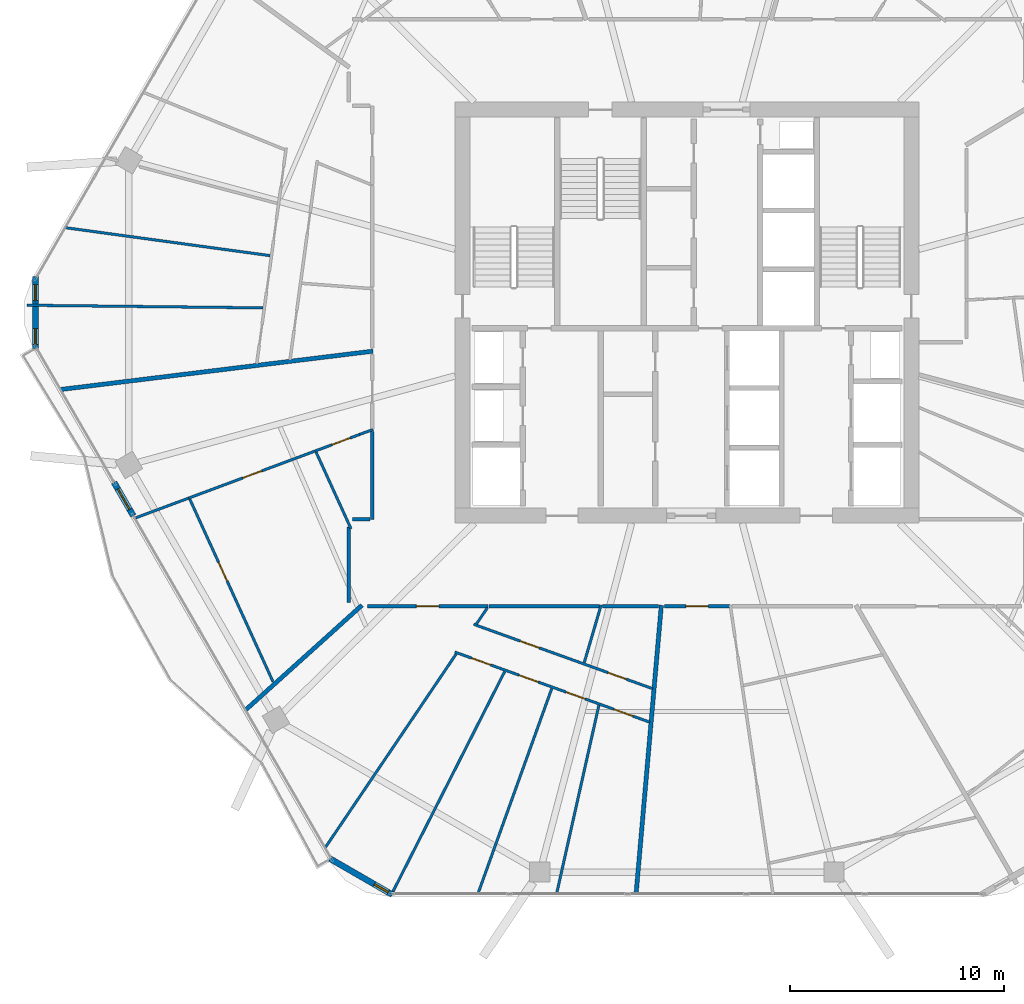
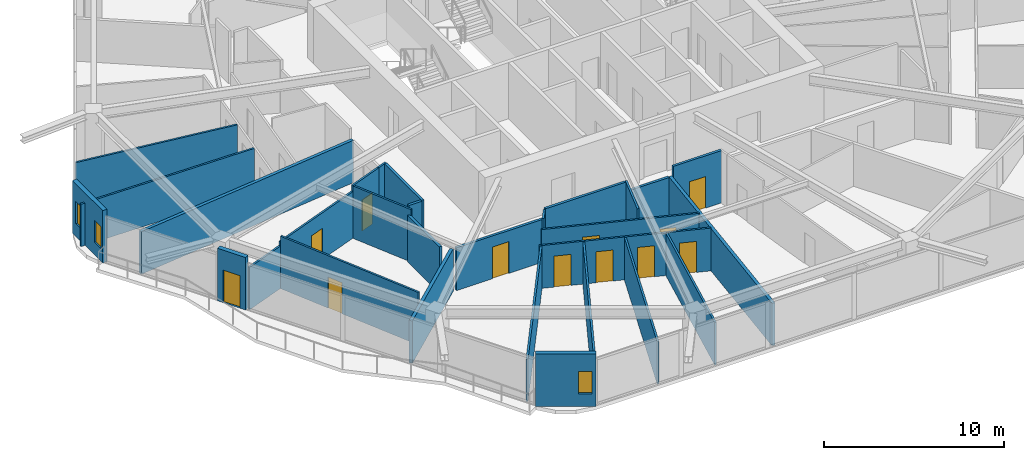
# One storey, part 18 of 26: 29 walls, 12 doors, 3 windows, 15 openings.
"""IFC4 building model written with IfcOpenShell, lengths in metres."""

from ifc_helpers import new_model, si_unit, direction, frame, frame_2d, origin, place, context, subcontext, project, spatial, rectangle, extrude, material, layer, layer_set, type_object, element, fill, save


model = new_model("IFC4")

# Units and contexts
model_context = context("Model", 3, precision=1e-05, world=origin(), true_north=direction((0.0, 1.0)))
body_context = subcontext(model_context, "Body", "Model", "MODEL_VIEW")
ifc_project = project(units=[si_unit("LENGTHUNIT", "METRE"), si_unit("AREAUNIT", "SQUARE_METRE"), si_unit("VOLUMEUNIT", "CUBIC_METRE"), si_unit("PLANEANGLEUNIT", "RADIAN"), si_unit("MASSUNIT", "GRAM", prefix="KILO")], contexts=[model_context])

# Site, building, storey
site_placement = place(None, origin())
site = spatial("IfcSite", under=ifc_project, at=site_placement, CompositionType="ELEMENT")
building_placement = place(site_placement, origin())
building = spatial("IfcBuilding", under=site, at=building_placement, Name="Zuhravey Tower", CompositionType="ELEMENT")
storey_placement = place(building_placement, frame((0.0, 0.0, 203.60009765625)))
storey = spatial("IfcBuildingStorey", under=building, at=storey_placement, Name="L51", CompositionType="ELEMENT", Elevation=203.60009765625)

# Wall, opening, door
ifc_material_1 = material(Name="Gypsum fire-rated stud partition")
ifc_layer_1 = layer(ifc_material_1, 0.159912109375)
ifc_layer_set_1 = layer_set([ifc_layer_1], Name="Gypsum fire-rated stud partition")
wall_type_1 = type_object("IfcWallType", Name="Corridor Fire Partition 160", PredefinedType="PARTITIONING", material=ifc_layer_set_1)
wall_1_placement = place(storey_placement, frame((21.0458984375, 18.27001953125, 0.0), z_axis=(0.0, 0.0, 1.0), x_axis=(1.0, 0.0, 0.0)))
wall_1 = element("IfcWall", 1, at=wall_1_placement, inside=storey, type_object=wall_type_1, Name="L51 IW16 Partition 042", PredefinedType="PARTITIONING", context=body_context, shape_type="SweptSolid", body=[
    extrude(rectangle(XDim=5.64794921875, YDim=0.159912109375, at=frame_2d((2.823974609375, 0.0))), origin(), (0.0, 0.0, 1.0), 2.89990234375),
])
opening_1_placement = place(wall_1_placement, frame((2.299072265625, 0.0, 0.0)))
opening_1 = element("IfcOpeningElement", 2, at=opening_1_placement, cuts=wall_1, Name="Opening APD1", PredefinedType="OPENING", context=body_context, shape_type="SweptSolid", body=[
    extrude(rectangle(XDim=1.050048828125, YDim=2.14990234375, at=frame_2d((0.52490234375, 1.074951171875))), frame((0.0, 0.092041015625, 0.0), z_axis=(0.0, -1.0, 0.0), x_axis=(1.0, 0.0, 0.0)), (0.0, 0.0, 1.0), 0.183837890625),
])
ifc_material_2 = material(Name="Solid-core oak fire-rated leaf")
door_type_1 = type_object("IfcDoorType", Name="Apartment Entrance Fire Door 1050x2150", OperationType="NOTDEFINED", PredefinedType="DOOR", material=ifc_material_2)
door_1_placement = place(opening_1_placement, frame((1.050048828125, 0.0, 0.0), z_axis=(0.0, 0.0, 1.0), x_axis=(-1.0, 0.0, 0.0)))
door_1 = element("IfcDoor", 3, at=door_1_placement, inside=storey, type_object=door_type_1, Name="L51 Door 042.1", OperationType="SINGLE_SWING_LEFT", OverallHeight=2.14990234375, OverallWidth=1.050048828125, PredefinedType="DOOR", context=body_context, shape_type="SweptSolid", body=[
    extrude(rectangle(XDim=1.050048828125, YDim=2.14990234375, at=frame_2d((0.52490234375, 1.074951171875))), frame((0.0, 0.02490234375, 0.0), z_axis=(0.0, -1.0, 0.0), x_axis=(1.0, 0.0, 0.0)), (0.0, 0.0, 1.0), 0.050048828125),
])
fill(opening_1, door_1)

wall_2_placement = place(storey_placement, frame((34.939453125, 18.27001953125, 0.0), z_axis=(0.0, 0.0, 1.0), x_axis=(1.0, 0.0, 0.0)))
wall_2 = element("IfcWall", 4, at=wall_2_placement, inside=storey, type_object=wall_type_1, Name="L51 IW16 Partition 046", PredefinedType="PARTITIONING", context=body_context, shape_type="SweptSolid", body=[
    extrude(rectangle(XDim=3.07275390625, YDim=0.159912109375, at=frame_2d((1.536376953125, 0.0))), origin(), (0.0, 0.0, 1.0), 3.5498046875),
])
opening_2_placement = place(wall_2_placement, frame((1.01123046875, 0.0, 0.0)))
opening_2 = element("IfcOpeningElement", 5, at=opening_2_placement, cuts=wall_2, Name="Opening APD1", PredefinedType="OPENING", context=body_context, shape_type="SweptSolid", body=[
    extrude(rectangle(XDim=1.050048828125, YDim=2.14990234375, at=frame_2d((0.52490234375, 1.074951171875))), frame((0.0, 0.092041015625, 0.0), z_axis=(0.0, -1.0, 0.0), x_axis=(1.0, 0.0, 0.0)), (0.0, 0.0, 1.0), 0.183837890625),
])
door_2_placement = place(opening_2_placement, frame((1.050048828125, 0.0, 0.0), z_axis=(0.0, 0.0, 1.0), x_axis=(-1.0, 0.0, 0.0)))
door_2 = element("IfcDoor", 6, at=door_2_placement, inside=storey, type_object=door_type_1, Name="L51 Door 046.1", OperationType="SINGLE_SWING_LEFT", OverallHeight=2.14990234375, OverallWidth=1.050048828125, PredefinedType="DOOR", context=body_context, shape_type="SweptSolid", body=[
    extrude(rectangle(XDim=1.050048828125, YDim=2.14990234375, at=frame_2d((0.52490234375, 1.074951171875))), frame((0.0, 0.02490234375, 0.0), z_axis=(0.0, -1.0, 0.0), x_axis=(1.0, 0.0, 0.0)), (0.0, 0.0, 1.0), 0.050048828125),
])
fill(opening_2, door_2)

# Walls
wall_3_placement = place(storey_placement, frame((21.27001953125, 26.443603515625, 0.0), z_axis=(0.0, 0.0, 1.0), x_axis=(0.0, -1.0, 0.0)))
element("IfcWall", 7, at=wall_3_placement, inside=storey, type_object=wall_type_1, Name="L51 IW16 Partition 129", PredefinedType="PARTITIONING", context=body_context, shape_type="SweptSolid", body=[
    extrude(rectangle(XDim=4.113525390625, YDim=0.159912109375, at=frame_2d((2.056640625, 0.0))), origin(), (0.0, 0.0, 1.0), 3.5498046875),
])
wall_4_placement = place(storey_placement, frame((21.181884765625, 22.330078125, 0.0), z_axis=(0.0, 0.0, 1.0), x_axis=(-1.0, 0.0, 0.0)))
element("IfcWall", 8, at=wall_4_placement, inside=storey, type_object=wall_type_1, Name="L51 IW16 Partition 130", PredefinedType="PARTITIONING", context=body_context, shape_type="SweptSolid", body=[
    extrude(rectangle(XDim=0.831787109375, YDim=0.159912109375, at=frame_2d((0.416015625, 0.0))), origin(), (0.0, 0.0, 1.0), 3.5498046875),
])
wall_5_placement = place(storey_placement, frame((20.169921875, 21.975830078125, 0.0), z_axis=(0.0, 0.0, 1.0), x_axis=(0.0, -1.0, 0.0)))
element("IfcWall", 9, at=wall_5_placement, inside=storey, type_object=wall_type_1, Name="L51 IW16 Partition 131", PredefinedType="PARTITIONING", context=body_context, shape_type="SweptSolid", body=[
    extrude(rectangle(XDim=3.52587890625, YDim=0.159912109375, at=frame_2d((1.762939453125, 0.0))), origin(), (0.0, 0.0, 1.0), 3.14990234375),
])
wall_6_placement = place(storey_placement, frame((26.7421875, 18.27001953125, 0.0), z_axis=(0.0, 0.0, 1.0), x_axis=(1.0, 0.0, 0.0)))
element("IfcWall", 10, at=wall_6_placement, inside=storey, type_object=wall_type_1, Name="L51 IW16 Partition 132", PredefinedType="PARTITIONING", context=body_context, shape_type="SweptSolid", body=[
    extrude(rectangle(XDim=5.158203125, YDim=0.159912109375, at=frame_2d((2.5791015625, 0.0))), origin(), (0.0, 0.0, 1.0), 3.5498046875),
])
wall_7_placement = place(storey_placement, frame((32.042236328125, 18.27001953125, 0.0), z_axis=(0.0, 0.0, 1.0), x_axis=(1.0, 0.0, 0.0)))
element("IfcWall", 11, at=wall_7_placement, inside=storey, type_object=wall_type_1, Name="L51 IW16 Partition 133", PredefinedType="PARTITIONING", context=body_context, shape_type="SweptSolid", body=[
    extrude(rectangle(XDim=2.61572265625, YDim=0.159912109375, at=frame_2d((1.307861328125, 0.0))), origin(), (0.0, 0.0, 1.0), 2.89990234375),
])

# Wall, opening, window
ifc_material_3 = material(Name="Precast concrete C40/50", Category="concrete")
ifc_layer_2 = layer(ifc_material_3, 0.280029296875)
ifc_layer_set_2 = layer_set([ifc_layer_2], Name="Precast concrete C40/50")
wall_type_2 = type_object("IfcWallType", Name="Crown Architectural Wall 280", PredefinedType="SOLIDWALL", material=ifc_layer_set_2)
wall_8_placement = place(storey_placement, frame((22.22119140625, 4.769287109375, 0.0), z_axis=(0.0, 0.0, 1.0), x_axis=(-0.866020068361, 0.500009241111, 0.0)))
wall_8 = element("IfcWall", 12, at=wall_8_placement, inside=storey, type_object=wall_type_2, Name="L51 Rounded Corner Closure Wall EW28-04", PredefinedType="SOLIDWALL", context=body_context, shape_type="SweptSolid", body=[
    extrude(rectangle(XDim=3.365234375, YDim=0.280029296875, at=frame_2d((1.6826171875, 0.0))), origin(), (0.0, 0.0, 1.0), 3.5498046875),
])
opening_3_placement = place(wall_8_placement, frame((0.22802734375, 0.0, 0.85009765625)))
opening_3 = element("IfcOpeningElement", 13, at=opening_3_placement, cuts=wall_8, Name="Opening WN5", PredefinedType="OPENING", context=body_context, shape_type="SweptSolid", body=[
    extrude(rectangle(XDim=0.75, YDim=1.5, at=frame_2d((0.375, 0.75))), frame((0.0, 0.152099609375, 0.0), z_axis=(0.0, -1.0, 0.0), x_axis=(1.0, 0.0, 0.0)), (0.0, 0.0, 1.0), 0.303955078125),
])
ifc_material_4 = material(Name="Thermally broken aluminium and triple low-E glass", Category="aluminium")
window_type = type_object("IfcWindowType", Name="Residential Corner Casement Window 750x1500", PartitioningType="SINGLE_PANEL", PredefinedType="WINDOW", material=ifc_material_4)
window_1_placement = place(opening_3_placement, origin())
window_1 = element("IfcWindow", 14, at=window_1_placement, inside=storey, type_object=window_type, Name="L51 Corner Casement Window WN5-04.1", OverallHeight=1.5, OverallWidth=0.75, PartitioningType="SINGLE_PANEL", PredefinedType="WINDOW", context=body_context, shape_type="SweptSolid", body=[
    extrude(rectangle(XDim=0.75, YDim=1.5, at=frame_2d((0.375, 0.75))), frame((0.0, 0.030029296875, 0.0), z_axis=(0.0, -1.0, 0.0), x_axis=(1.0, 0.0, 0.0)), (0.0, 0.0, 1.0), 0.06005859375),
])
fill(opening_3, window_1)

# Wall, opening, door
wall_9_placement = place(storey_placement, frame((10.098388671875, 22.49658203125, 0.0), z_axis=(0.0, 0.0, 1.0), x_axis=(-0.49993893605, 0.866060656202, 0.0)))
wall_9 = element("IfcWall", 15, at=wall_9_placement, inside=storey, type_object=wall_type_2, Name="L51 Face 4 Facade Pier EW28-1", PredefinedType="SOLIDWALL", context=body_context, shape_type="SweptSolid", body=[
    extrude(rectangle(XDim=1.789794921875, YDim=0.280029296875, at=frame_2d((0.89501953125, 0.0))), origin(), (0.0, 0.0, 1.0), 3.5498046875),
])
opening_4_placement = place(wall_9_placement, frame((0.344970703125, 0.0, 0.0)))
opening_4 = element("IfcOpeningElement", 16, at=opening_4_placement, cuts=wall_9, Name="Opening BLD1", PredefinedType="OPENING", context=body_context, shape_type="SweptSolid", body=[
    extrude(rectangle(XDim=1.10009765625, YDim=2.199951171875, at=frame_2d((0.550048828125, 1.10009765625))), frame((0.0, 0.152099609375, 0.0), z_axis=(0.0, -1.0, 0.0), x_axis=(1.0, 0.0, 0.0)), (0.0, 0.0, 1.0), 0.303955078125),
])
ifc_material_5 = material(Name="Thermally broken aluminium and low-E glass", Category="aluminium")
door_type_2 = type_object("IfcDoorType", Name="Balcony & Sky-Tray Glazed Door 1100x2200", OperationType="NOTDEFINED", PredefinedType="DOOR", material=ifc_material_5)
door_3_placement = place(opening_4_placement, frame((1.10009765625, 0.0, 0.0), z_axis=(0.0, 0.0, 1.0), x_axis=(-1.0, 0.0, 0.0)))
door_3 = element("IfcDoor", 17, at=door_3_placement, inside=storey, type_object=door_type_2, Name="L51 Face 4 Wave Balcony Door", OperationType="SINGLE_SWING_LEFT", OverallHeight=2.199951171875, OverallWidth=1.10009765625, PredefinedType="DOOR", context=body_context, shape_type="SweptSolid", body=[
    extrude(rectangle(XDim=1.10009765625, YDim=2.199951171875, at=frame_2d((0.550048828125, 1.10009765625))), frame((0.0, 0.02490234375, 0.0), z_axis=(0.0, -1.0, 0.0), x_axis=(1.0, 0.0, 0.0)), (0.0, 0.0, 1.0), 0.050048828125),
])
fill(opening_4, door_3)

# Wall, openings, windows
wall_10_placement = place(storey_placement, frame((5.5283203125, 30.3173828125, 0.0), z_axis=(0.0, 0.0, 1.0), x_axis=(0.0, 1.0, 0.0)))
wall_10 = element("IfcWall", 18, at=wall_10_placement, inside=storey, type_object=wall_type_2, Name="L51 Rounded Corner Closure Wall EW28-06", PredefinedType="SOLIDWALL", context=body_context, shape_type="SweptSolid", body=[
    extrude(rectangle(XDim=3.365234375, YDim=0.280029296875, at=frame_2d((1.6826171875, 0.0))), origin(), (0.0, 0.0, 1.0), 3.5498046875),
])
opening_5_placement = place(wall_10_placement, frame((2.23974609375, 0.0, 0.85009765625)))
opening_5 = element("IfcOpeningElement", 19, at=opening_5_placement, cuts=wall_10, Name="Opening WN5", PredefinedType="OPENING", context=body_context, shape_type="SweptSolid", body=[
    extrude(rectangle(XDim=0.75, YDim=1.5, at=frame_2d((0.375, 0.75))), frame((0.0, 0.152099609375, 0.0), z_axis=(0.0, -1.0, 0.0), x_axis=(1.0, 0.0, 0.0)), (0.0, 0.0, 1.0), 0.303955078125),
])
opening_6_placement = place(wall_10_placement, frame((0.17919921875, 0.0, 0.85009765625)))
opening_6 = element("IfcOpeningElement", 20, at=opening_6_placement, cuts=wall_10, Name="Opening WN5", PredefinedType="OPENING", context=body_context, shape_type="SweptSolid", body=[
    extrude(rectangle(XDim=0.75, YDim=1.5, at=frame_2d((0.375, 0.75))), frame((0.0, 0.152099609375, 0.0), z_axis=(0.0, -1.0, 0.0), x_axis=(1.0, 0.0, 0.0)), (0.0, 0.0, 1.0), 0.303955078125),
])
window_2_placement = place(opening_5_placement, origin())
window_2 = element("IfcWindow", 21, at=window_2_placement, inside=storey, type_object=window_type, Name="L51 Corner Casement Window WN5-06.1", OverallHeight=1.5, OverallWidth=0.75, PartitioningType="SINGLE_PANEL", PredefinedType="WINDOW", context=body_context, shape_type="SweptSolid", body=[
    extrude(rectangle(XDim=0.75, YDim=1.5, at=frame_2d((0.375, 0.75))), frame((0.0, 0.030029296875, 0.0), z_axis=(0.0, -1.0, 0.0), x_axis=(1.0, 0.0, 0.0)), (0.0, 0.0, 1.0), 0.06005859375),
])
fill(opening_5, window_2)
window_3_placement = place(opening_6_placement, origin())
window_3 = element("IfcWindow", 22, at=window_3_placement, inside=storey, type_object=window_type, Name="L51 Corner Casement Window WN5-06.2", OverallHeight=1.5, OverallWidth=0.75, PartitioningType="SINGLE_PANEL", PredefinedType="WINDOW", context=body_context, shape_type="SweptSolid", body=[
    extrude(rectangle(XDim=0.75, YDim=1.5, at=frame_2d((0.375, 0.75))), frame((0.0, 0.030029296875, 0.0), z_axis=(0.0, -1.0, 0.0), x_axis=(1.0, 0.0, 0.0)), (0.0, 0.0, 1.0), 0.06005859375),
])
fill(opening_6, window_3)

# Walls
ifc_material_6 = material(Name="Gypsum double-stud party assembly")
ifc_layer_3 = layer(ifc_material_6, 0.199951171875)
ifc_layer_set_3 = layer_set([ifc_layer_3], Name="Gypsum double-stud party assembly")
wall_type_3 = type_object("IfcWallType", Name="Inter-Tenancy Party Wall 200", PredefinedType="PARTITIONING", material=ifc_layer_set_3)
wall_11_placement = place(storey_placement, frame((21.31005859375, 30.1962890625, 0.0), z_axis=(0.0, 0.0, 1.0), x_axis=(-0.992546304435, -0.121868098997, 0.0)))
element("IfcWall", 23, at=wall_11_placement, inside=storey, type_object=wall_type_3, Name="L51 IW20 Partition 090", PredefinedType="PARTITIONING", context=body_context, shape_type="SweptSolid", body=[
    extrude(rectangle(XDim=14.73046875, YDim=0.199951171875, at=frame_2d((7.365234375, 0.0))), origin(), (0.0, 0.0, 1.0), 2.869873046875),
])
wall_12_placement = place(storey_placement, frame((20.795654296875, 18.31005859375, 0.0), z_axis=(0.0, 0.0, 1.0), x_axis=(-0.743136814575, -0.66913950326, 0.0)))
element("IfcWall", 24, at=wall_12_placement, inside=storey, type_object=wall_type_3, Name="L51 IW20 Partition 094", PredefinedType="PARTITIONING", context=body_context, shape_type="SweptSolid", body=[
    extrude(rectangle(XDim=7.3310546875, YDim=0.199951171875, at=frame_2d((3.66552734375, 0.0))), origin(), (0.0, 0.0, 1.0), 2.869873046875),
])
wall_13_placement = place(storey_placement, frame((34.80224609375, 18.31005859375, 0.0), z_axis=(0.0, 0.0, 1.0), x_axis=(-0.087149956805, -0.996195204279, 0.0)))
element("IfcWall", 25, at=wall_13_placement, inside=storey, type_object=wall_type_3, Name="L51 IW20 Partition 101", PredefinedType="PARTITIONING", context=body_context, shape_type="SweptSolid", body=[
    extrude(rectangle(XDim=13.544677734375, YDim=0.199951171875, at=frame_2d((6.7724609375, 0.0))), origin(), (0.0, 0.0, 1.0), 2.869873046875),
])

# Wall, opening, door
ifc_material_7 = material(Name="Gypsum metal-stud partition")
ifc_layer_4 = layer(ifc_material_7, 0.1201171875)
ifc_layer_set_4 = layer_set([ifc_layer_4], Name="Gypsum metal-stud partition")
wall_type_4 = type_object("IfcWallType", Name="Unit Internal Partition 120", PredefinedType="PARTITIONING", material=ifc_layer_set_4)
wall_14_placement = place(storey_placement, frame((20.699951171875, 26.303955078125, 0.0), z_axis=(0.0, 0.0, 1.0), x_axis=(-0.937146429419, -0.34893634065, 0.0)))
wall_14 = element("IfcWall", 26, at=wall_14_placement, inside=storey, type_object=wall_type_4, Name="L51 IW12 Partition 036", PredefinedType="PARTITIONING", context=body_context, shape_type="SweptSolid", body=[
    extrude(rectangle(XDim=2.23974609375, YDim=0.1201171875, at=frame_2d((1.119873046875, 0.0))), origin(), (0.0, 0.0, 1.0), 3.5498046875),
])
opening_7_placement = place(wall_14_placement, frame((0.490478515625, 0.0, 0.0)))
opening_7 = element("IfcOpeningElement", 27, at=opening_7_placement, cuts=wall_14, Name="Opening WCD1", PredefinedType="OPENING", context=body_context, shape_type="SweptSolid", body=[
    extrude(rectangle(XDim=0.89990234375, YDim=2.10009765625, at=frame_2d((0.449951171875, 1.050048828125))), frame((0.0, 0.072021484375, 0.0), z_axis=(0.0, -1.0, 0.0), x_axis=(1.0, 0.0, 0.0)), (0.0, 0.0, 1.0), 0.14404296875),
])
ifc_material_8 = material(Name="Moisture-resistant timber leaf", Category="wood")
door_type_3 = type_object("IfcDoorType", Name="Bathroom & WC Internal Door 900x2100", OperationType="NOTDEFINED", PredefinedType="DOOR", material=ifc_material_8)
door_4_placement = place(opening_7_placement, origin())
door_4 = element("IfcDoor", 28, at=door_4_placement, inside=storey, type_object=door_type_3, Name="Apartment L51-05 Bathroom Door", OperationType="SINGLE_SWING_LEFT", OverallHeight=2.10009765625, OverallWidth=0.89990234375, PredefinedType="DOOR", context=body_context, shape_type="SweptSolid", body=[
    extrude(rectangle(XDim=0.89990234375, YDim=2.10009765625, at=frame_2d((0.449951171875, 1.050048828125))), frame((0.0, 0.02490234375, 0.0), z_axis=(0.0, -1.0, 0.0), x_axis=(1.0, 0.0, 0.0)), (0.0, 0.0, 1.0), 0.050048828125),
])
fill(opening_7, door_4)

wall_15_placement = place(storey_placement, frame((18.60107421875, 25.5224609375, 0.0), z_axis=(0.0, 0.0, 1.0), x_axis=(-0.937158847228, -0.348902988039, 0.0)))
wall_15 = element("IfcWall", 29, at=wall_15_placement, inside=storey, type_object=wall_type_4, Name="L51 IW12 Partition 037", PredefinedType="PARTITIONING", context=body_context, shape_type="SweptSolid", body=[
    extrude(rectangle(XDim=6.3046875, YDim=0.1201171875, at=frame_2d((3.15234375, 0.0))), origin(), (0.0, 0.0, 1.0), 3.14990234375),
])
opening_8_placement = place(wall_15_placement, frame((2.65234375, 0.0, 0.0)))
opening_8 = element("IfcOpeningElement", 30, at=opening_8_placement, cuts=wall_15, Name="Opening IND1", PredefinedType="OPENING", context=body_context, shape_type="SweptSolid", body=[
    extrude(rectangle(XDim=0.949951171875, YDim=2.10009765625, at=frame_2d((0.47509765625, 1.050048828125))), frame((0.0, 0.072021484375, 0.0), z_axis=(0.0, -1.0, 0.0), x_axis=(1.0, 0.0, 0.0)), (0.0, 0.0, 1.0), 0.14404296875),
])
ifc_material_9 = material(Name="Painted engineered timber leaf", Category="wood")
door_type_4 = type_object("IfcDoorType", Name="Internal Room & Bedroom Door 950x2100", OperationType="NOTDEFINED", PredefinedType="DOOR", material=ifc_material_9)
door_5_placement = place(opening_8_placement, origin())
door_5 = element("IfcDoor", 31, at=door_5_placement, inside=storey, type_object=door_type_4, Name="Apartment L51-05 Home Office Door", OperationType="SINGLE_SWING_RIGHT", OverallHeight=2.10009765625, OverallWidth=0.949951171875, PredefinedType="DOOR", context=body_context, shape_type="SweptSolid", body=[
    extrude(rectangle(XDim=0.949951171875, YDim=2.10009765625, at=frame_2d((0.47509765625, 1.050048828125))), frame((0.0, 0.02490234375, 0.0), z_axis=(0.0, -1.0, 0.0), x_axis=(1.0, 0.0, 0.0)), (0.0, 0.0, 1.0), 0.050048828125),
])
fill(opening_8, door_5)

wall_16_placement = place(storey_placement, frame((12.744140625, 23.26953125, 0.0), z_axis=(0.0, 0.0, 1.0), x_axis=(0.414714516526, -0.909951575515, 0.0)))
wall_16 = element("IfcWall", 32, at=wall_16_placement, inside=storey, type_object=wall_type_4, Name="L51 IW12 Partition 038", PredefinedType="PARTITIONING", context=body_context, shape_type="SweptSolid", body=[
    extrude(rectangle(XDim=9.380859375, YDim=0.1201171875, at=frame_2d((4.6904296875, 0.0))), origin(), (0.0, 0.0, 1.0), 3.5498046875),
])
opening_9_placement = place(wall_16_placement, frame((3.251220703125, 0.0, 0.0)))
opening_9 = element("IfcOpeningElement", 33, at=opening_9_placement, cuts=wall_16, Name="Opening IND1", PredefinedType="OPENING", context=body_context, shape_type="SweptSolid", body=[
    extrude(rectangle(XDim=0.949951171875, YDim=2.10009765625, at=frame_2d((0.47509765625, 1.050048828125))), frame((0.0, 0.072021484375, 0.0), z_axis=(0.0, -1.0, 0.0), x_axis=(1.0, 0.0, 0.0)), (0.0, 0.0, 1.0), 0.14404296875),
])
door_6_placement = place(opening_9_placement, frame((0.949951171875, 0.0, 0.0), z_axis=(0.0, 0.0, 1.0), x_axis=(-1.0, 0.0, 0.0)))
door_6 = element("IfcDoor", 34, at=door_6_placement, inside=storey, type_object=door_type_4, Name="Apartment L51-05 Bedroom 1 Door", OperationType="SINGLE_SWING_LEFT", OverallHeight=2.10009765625, OverallWidth=0.949951171875, PredefinedType="DOOR", context=body_context, shape_type="SweptSolid", body=[
    extrude(rectangle(XDim=0.949951171875, YDim=2.10009765625, at=frame_2d((0.47509765625, 1.050048828125))), frame((0.0, 0.02490234375, 0.0), z_axis=(0.0, -1.0, 0.0), x_axis=(1.0, 0.0, 0.0)), (0.0, 0.0, 1.0), 0.050048828125),
])
fill(opening_9, door_6)

# Wall, openings, doors
wall_17_placement = place(storey_placement, frame((26.021728515625, 17.418701171875, 0.0), z_axis=(0.0, 0.0, 1.0), x_axis=(0.940993203868, -0.338425457486, 0.0)))
wall_17 = element("IfcWall", 35, at=wall_17_placement, inside=storey, type_object=wall_type_4, Name="L51 IW12 Partition 040", PredefinedType="PARTITIONING", context=body_context, shape_type="SweptSolid", body=[
    extrude(rectangle(XDim=8.909912109375, YDim=0.1201171875, at=frame_2d((4.455078125, 0.0))), origin(), (0.0, 0.0, 1.0), 2.89990234375),
])
opening_10_placement = place(wall_17_placement, frame((2.316162109375, 0.0, 0.0)))
opening_10 = element("IfcOpeningElement", 36, at=opening_10_placement, cuts=wall_17, Name="Opening IND1", PredefinedType="OPENING", context=body_context, shape_type="SweptSolid", body=[
    extrude(rectangle(XDim=0.949951171875, YDim=2.10009765625, at=frame_2d((0.47509765625, 1.050048828125))), frame((0.0, 0.072021484375, 0.0), z_axis=(0.0, -1.0, 0.0), x_axis=(1.0, 0.0, 0.0)), (0.0, 0.0, 1.0), 0.14404296875),
])
opening_11_placement = place(wall_17_placement, frame((6.692626953125, 0.0, 0.0)))
opening_11 = element("IfcOpeningElement", 37, at=opening_11_placement, cuts=wall_17, Name="Opening WCD1", PredefinedType="OPENING", context=body_context, shape_type="SweptSolid", body=[
    extrude(rectangle(XDim=0.89990234375, YDim=2.10009765625, at=frame_2d((0.449951171875, 1.050048828125))), frame((0.0, 0.072021484375, 0.0), z_axis=(0.0, -1.0, 0.0), x_axis=(1.0, 0.0, 0.0)), (0.0, 0.0, 1.0), 0.14404296875),
])
door_7_placement = place(opening_11_placement, origin())
door_7 = element("IfcDoor", 38, at=door_7_placement, inside=storey, type_object=door_type_3, Name="Apartment L51-06 Bathroom Door", OperationType="SINGLE_SWING_RIGHT", OverallHeight=2.10009765625, OverallWidth=0.89990234375, PredefinedType="DOOR", context=body_context, shape_type="SweptSolid", body=[
    extrude(rectangle(XDim=0.89990234375, YDim=2.10009765625, at=frame_2d((0.449951171875, 1.050048828125))), frame((0.0, 0.02490234375, 0.0), z_axis=(0.0, -1.0, 0.0), x_axis=(1.0, 0.0, 0.0)), (0.0, 0.0, 1.0), 0.050048828125),
])
fill(opening_11, door_7)
door_8_placement = place(opening_10_placement, origin())
door_8 = element("IfcDoor", 39, at=door_8_placement, inside=storey, type_object=door_type_4, Name="Apartment L51-06 Kitchen Door", OperationType="SINGLE_SWING_LEFT", OverallHeight=2.10009765625, OverallWidth=0.949951171875, PredefinedType="DOOR", context=body_context, shape_type="SweptSolid", body=[
    extrude(rectangle(XDim=0.949951171875, YDim=2.10009765625, at=frame_2d((0.47509765625, 1.050048828125))), frame((0.0, 0.02490234375, 0.0), z_axis=(0.0, -1.0, 0.0), x_axis=(1.0, 0.0, 0.0)), (0.0, 0.0, 1.0), 0.050048828125),
])
fill(opening_10, door_8)

wall_18_placement = place(storey_placement, frame((25.143310546875, 16.119140625, 0.0), z_axis=(0.0, 0.0, 1.0), x_axis=(0.940999845239, -0.33840699056, 0.0)))
wall_18 = element("IfcWall", 40, at=wall_18_placement, inside=storey, type_object=wall_type_4, Name="L51 IW12 Partition 041", PredefinedType="PARTITIONING", context=body_context, shape_type="SweptSolid", body=[
    extrude(rectangle(XDim=9.683837890625, YDim=0.1201171875, at=frame_2d((4.841796875, 0.0))), origin(), (0.0, 0.0, 1.0), 2.89990234375),
])
opening_12_placement = place(wall_18_placement, frame((0.829833984375, 0.0, 0.0)))
opening_12 = element("IfcOpeningElement", 41, at=opening_12_placement, cuts=wall_18, Name="Opening IND1", PredefinedType="OPENING", context=body_context, shape_type="SweptSolid", body=[
    extrude(rectangle(XDim=0.949951171875, YDim=2.10009765625, at=frame_2d((0.47509765625, 1.050048828125))), frame((0.0, 0.072021484375, 0.0), z_axis=(0.0, -1.0, 0.0), x_axis=(1.0, 0.0, 0.0)), (0.0, 0.0, 1.0), 0.14404296875),
])
opening_13_placement = place(wall_18_placement, frame((3.200439453125, 0.0, 0.0)))
opening_13 = element("IfcOpeningElement", 42, at=opening_13_placement, cuts=wall_18, Name="Opening IND1", PredefinedType="OPENING", context=body_context, shape_type="SweptSolid", body=[
    extrude(rectangle(XDim=0.949951171875, YDim=2.10009765625, at=frame_2d((0.47509765625, 1.050048828125))), frame((0.0, 0.072021484375, 0.0), z_axis=(0.0, -1.0, 0.0), x_axis=(1.0, 0.0, 0.0)), (0.0, 0.0, 1.0), 0.14404296875),
])
opening_14_placement = place(wall_18_placement, frame((5.533447265625, 0.0, 0.0)))
opening_14 = element("IfcOpeningElement", 43, at=opening_14_placement, cuts=wall_18, Name="Opening IND1", PredefinedType="OPENING", context=body_context, shape_type="SweptSolid", body=[
    extrude(rectangle(XDim=0.949951171875, YDim=2.10009765625, at=frame_2d((0.47509765625, 1.050048828125))), frame((0.0, 0.072021484375, 0.0), z_axis=(0.0, -1.0, 0.0), x_axis=(1.0, 0.0, 0.0)), (0.0, 0.0, 1.0), 0.14404296875),
])
opening_15_placement = place(wall_18_placement, frame((7.904052734375, 0.0, 0.0)))
opening_15 = element("IfcOpeningElement", 44, at=opening_15_placement, cuts=wall_18, Name="Opening IND1", PredefinedType="OPENING", context=body_context, shape_type="SweptSolid", body=[
    extrude(rectangle(XDim=0.949951171875, YDim=2.10009765625, at=frame_2d((0.47509765625, 1.050048828125))), frame((0.0, 0.072021484375, 0.0), z_axis=(0.0, -1.0, 0.0), x_axis=(1.0, 0.0, 0.0)), (0.0, 0.0, 1.0), 0.14404296875),
])
door_9_placement = place(opening_12_placement, frame((0.949951171875, 0.0, 0.0), z_axis=(0.0, 0.0, 1.0), x_axis=(-1.0, 0.0, 0.0)))
door_9 = element("IfcDoor", 45, at=door_9_placement, inside=storey, type_object=door_type_4, Name="Apartment L51-06 Bedroom 1 Door", OperationType="SINGLE_SWING_LEFT", OverallHeight=2.10009765625, OverallWidth=0.949951171875, PredefinedType="DOOR", context=body_context, shape_type="SweptSolid", body=[
    extrude(rectangle(XDim=0.949951171875, YDim=2.10009765625, at=frame_2d((0.47509765625, 1.050048828125))), frame((0.0, 0.02490234375, 0.0), z_axis=(0.0, -1.0, 0.0), x_axis=(1.0, 0.0, 0.0)), (0.0, 0.0, 1.0), 0.050048828125),
])
fill(opening_12, door_9)
door_10_placement = place(opening_13_placement, frame((0.949951171875, 0.0, 0.0), z_axis=(0.0, 0.0, 1.0), x_axis=(-1.0, 0.0, 0.0)))
door_10 = element("IfcDoor", 46, at=door_10_placement, inside=storey, type_object=door_type_4, Name="Apartment L51-06 Bedroom 2 Door", OperationType="SINGLE_SWING_RIGHT", OverallHeight=2.10009765625, OverallWidth=0.949951171875, PredefinedType="DOOR", context=body_context, shape_type="SweptSolid", body=[
    extrude(rectangle(XDim=0.949951171875, YDim=2.10009765625, at=frame_2d((0.47509765625, 1.050048828125))), frame((0.0, 0.02490234375, 0.0), z_axis=(0.0, -1.0, 0.0), x_axis=(1.0, 0.0, 0.0)), (0.0, 0.0, 1.0), 0.050048828125),
])
fill(opening_13, door_10)
door_11_placement = place(opening_14_placement, frame((0.949951171875, 0.0, 0.0), z_axis=(0.0, 0.0, 1.0), x_axis=(-1.0, 0.0, 0.0)))
door_11 = element("IfcDoor", 47, at=door_11_placement, inside=storey, type_object=door_type_4, Name="Apartment L51-06 Bedroom 3 Door", OperationType="SINGLE_SWING_LEFT", OverallHeight=2.10009765625, OverallWidth=0.949951171875, PredefinedType="DOOR", context=body_context, shape_type="SweptSolid", body=[
    extrude(rectangle(XDim=0.949951171875, YDim=2.10009765625, at=frame_2d((0.47509765625, 1.050048828125))), frame((0.0, 0.02490234375, 0.0), z_axis=(0.0, -1.0, 0.0), x_axis=(1.0, 0.0, 0.0)), (0.0, 0.0, 1.0), 0.050048828125),
])
fill(opening_14, door_11)
door_12_placement = place(opening_15_placement, frame((0.949951171875, 0.0, 0.0), z_axis=(0.0, 0.0, 1.0), x_axis=(-1.0, 0.0, 0.0)))
door_12 = element("IfcDoor", 48, at=door_12_placement, inside=storey, type_object=door_type_4, Name="Apartment L51-06 Bedroom 4 Door", OperationType="SINGLE_SWING_RIGHT", OverallHeight=2.10009765625, OverallWidth=0.949951171875, PredefinedType="DOOR", context=body_context, shape_type="SweptSolid", body=[
    extrude(rectangle(XDim=0.949951171875, YDim=2.10009765625, at=frame_2d((0.47509765625, 1.050048828125))), frame((0.0, 0.02490234375, 0.0), z_axis=(0.0, -1.0, 0.0), x_axis=(1.0, 0.0, 0.0)), (0.0, 0.0, 1.0), 0.050048828125),
])
fill(opening_15, door_12)

# Walls
wall_19_placement = place(storey_placement, frame((16.49560546875, 34.664794921875, 0.0), z_axis=(0.0, 0.0, 1.0), x_axis=(-0.990795788698, 0.135365080796, 0.0)))
element("IfcWall", 49, at=wall_19_placement, inside=storey, type_object=wall_type_4, Name="L51 IW12 Partition 086", PredefinedType="PARTITIONING", context=body_context, shape_type="SweptSolid", body=[
    extrude(rectangle(XDim=9.688720703125, YDim=0.1201171875, at=frame_2d((4.84423828125, 0.0))), origin(), (0.0, 0.0, 1.0), 2.869873046875),
])
wall_20_placement = place(storey_placement, frame((16.16162109375, 32.2216796875, 0.0), z_axis=(0.0, 0.0, 1.0), x_axis=(-0.99993777631, 0.011155425089, 0.0)))
element("IfcWall", 50, at=wall_20_placement, inside=storey, type_object=wall_type_4, Name="L51 IW12 Partition 087", PredefinedType="PARTITIONING", context=body_context, shape_type="SweptSolid", body=[
    extrude(rectangle(XDim=11.0302734375, YDim=0.1201171875, at=frame_2d((5.51513671875, 0.0))), origin(), (0.0, 0.0, 1.0), 2.869873046875),
])
wall_21_placement = place(storey_placement, frame((21.3134765625, 26.5322265625, 0.0), z_axis=(0.0, 0.0, 1.0), x_axis=(-0.937230355165, -0.348710856379, 0.0)))
element("IfcWall", 51, at=wall_21_placement, inside=storey, type_object=wall_type_4, Name="L51 IW12 Partition 091", PredefinedType="PARTITIONING", context=body_context, shape_type="SweptSolid", body=[
    extrude(rectangle(XDim=0.654541015625, YDim=0.1201171875, at=frame_2d((0.3271484375, 0.0))), origin(), (0.0, 0.0, 1.0), 3.5498046875),
])
wall_22_placement = place(storey_placement, frame((12.692626953125, 23.32275390625, 0.0), z_axis=(0.0, 0.0, 1.0), x_axis=(-0.937173079669, -0.348864757096, 0.0)))
element("IfcWall", 52, at=wall_22_placement, inside=storey, type_object=wall_type_4, Name="L51 IW12 Partition 092", PredefinedType="PARTITIONING", context=body_context, shape_type="SweptSolid", body=[
    extrude(rectangle(XDim=2.701904296875, YDim=0.1201171875, at=frame_2d((1.35107421875, 0.0))), origin(), (0.0, 0.0, 1.0), 2.869873046875),
])
wall_23_placement = place(storey_placement, frame((18.652587890625, 25.46923828125, 0.0), z_axis=(0.0, 0.0, 1.0), x_axis=(0.41474383849, -0.909938211328, 0.0)))
element("IfcWall", 53, at=wall_23_placement, inside=storey, type_object=wall_type_4, Name="L51 IW12 Partition 093", PredefinedType="PARTITIONING", context=body_context, shape_type="SweptSolid", body=[
    extrude(rectangle(XDim=3.947998046875, YDim=0.1201171875, at=frame_2d((1.97412109375, 0.0))), origin(), (0.0, 0.0, 1.0), 3.5498046875),
])
wall_24_placement = place(storey_placement, frame((31.986083984375, 18.320068359375, 0.0), z_axis=(0.0, 0.0, 1.0), x_axis=(-0.281614682236, -0.959527576857, 0.0)))
element("IfcWall", 54, at=wall_24_placement, inside=storey, type_object=wall_type_4, Name="L51 IW12 Partition 095", PredefinedType="PARTITIONING", context=body_context, shape_type="SweptSolid", body=[
    extrude(rectangle(XDim=2.8037109375, YDim=0.1201171875, at=frame_2d((1.40185546875, 0.0))), origin(), (0.0, 0.0, 1.0), 3.5498046875),
])
wall_25_placement = place(storey_placement, frame((27.47412109375, 15.208740234375, 0.0), z_axis=(0.0, 0.0, 1.0), x_axis=(-0.452763264815, -0.89163076777, 0.0)))
element("IfcWall", 55, at=wall_25_placement, inside=storey, type_object=wall_type_4, Name="L51 IW12 Partition 096", PredefinedType="PARTITIONING", context=body_context, shape_type="SweptSolid", body=[
    extrude(rectangle(XDim=11.666015625, YDim=0.1201171875, at=frame_2d((5.8330078125, 0.0))), origin(), (0.0, 0.0, 1.0), 2.869873046875),
])
wall_26_placement = place(storey_placement, frame((29.676513671875, 14.416748046875, 0.0), z_axis=(0.0, 0.0, 1.0), x_axis=(-0.33839522172, -0.941004077524, 0.0)))
element("IfcWall", 56, at=wall_26_placement, inside=storey, type_object=wall_type_4, Name="L51 IW12 Partition 097", PredefinedType="PARTITIONING", context=body_context, shape_type="SweptSolid", body=[
    extrude(rectangle(XDim=10.21240234375, YDim=0.1201171875, at=frame_2d((5.106201171875, 0.0))), origin(), (0.0, 0.0, 1.0), 2.869873046875),
])
wall_27_placement = place(storey_placement, frame((31.879150390625, 13.62451171875, 0.0), z_axis=(0.0, 0.0, 1.0), x_axis=(-0.218835198181, -0.975761833665, 0.0)))
element("IfcWall", 57, at=wall_27_placement, inside=storey, type_object=wall_type_4, Name="L51 IW12 Partition 098", PredefinedType="PARTITIONING", context=body_context, shape_type="SweptSolid", body=[
    extrude(rectangle(XDim=9.03662109375, YDim=0.1201171875, at=frame_2d((4.518310546875, 0.0))), origin(), (0.0, 0.0, 1.0), 2.869873046875),
])
wall_28_placement = place(storey_placement, frame((26.65869140625, 18.181884765625, 0.0), z_axis=(0.0, 0.0, 1.0), x_axis=(-0.560237678538, -0.828331904219, 0.0)))
element("IfcWall", 58, at=wall_28_placement, inside=storey, type_object=wall_type_4, Name="L51 IW12 Partition 099", PredefinedType="PARTITIONING", context=body_context, shape_type="SweptSolid", body=[
    extrude(rectangle(XDim=0.893310546875, YDim=0.1201171875, at=frame_2d((0.44677734375, 0.0))), origin(), (0.0, 0.0, 1.0), 3.5498046875),
])
wall_29_placement = place(storey_placement, frame((25.201171875, 16.026123046875, 0.0), z_axis=(0.0, 0.0, 1.0), x_axis=(-0.560066581078, -0.828447599284, 0.0)))
element("IfcWall", 59, at=wall_29_placement, inside=storey, type_object=wall_type_4, Name="L51 IW12 Partition 100", PredefinedType="PARTITIONING", context=body_context, shape_type="SweptSolid", body=[
    extrude(rectangle(XDim=10.9580078125, YDim=0.1201171875, at=frame_2d((5.47900390625, 0.0))), origin(), (0.0, 0.0, 1.0), 2.869873046875),
])

save(model, "model.ifc")
